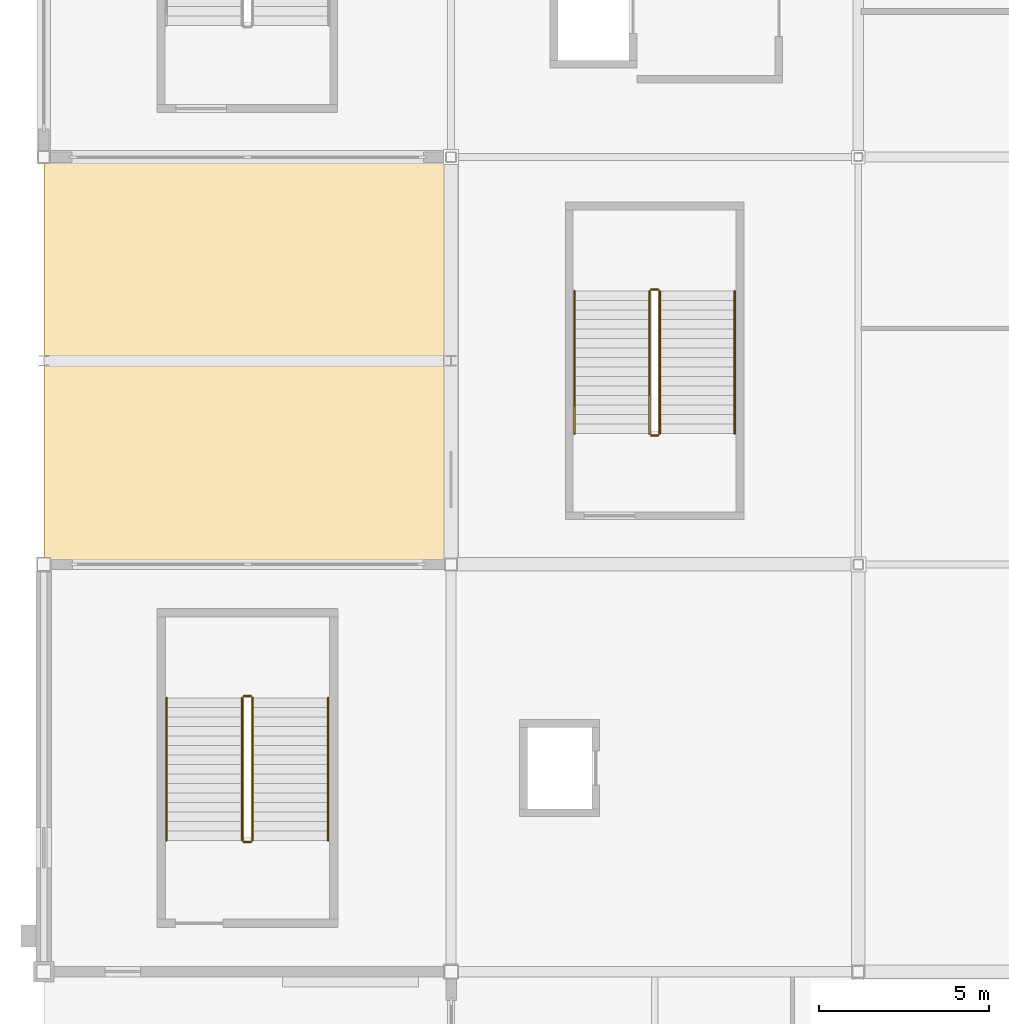
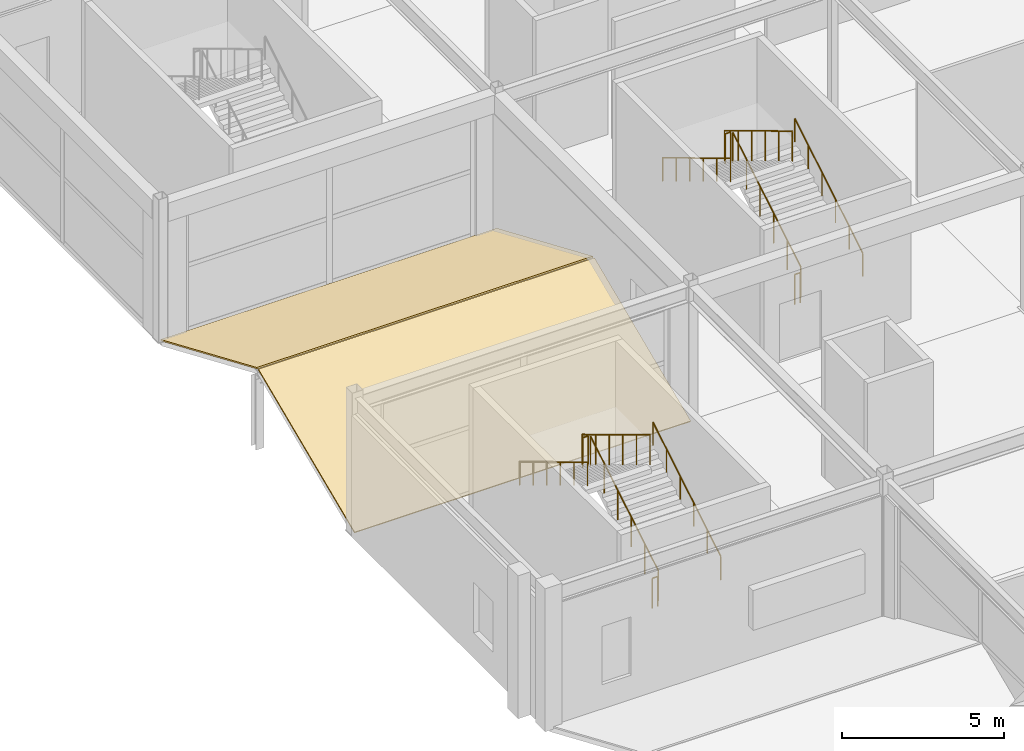
# One storey, part 91 of 105: 12 railings, 2 coverings.
"""IFC4 building model written with IfcOpenShell, lengths in metres."""

import ifcopenshell
import ifcopenshell.guid

model = None  # the IFC model being written
_history = None  # IfcOwnerHistory: only IFC2X3 demands one
_inside = {}  # id of a spatial element -> (the spatial element, [elements in it])
_under = {}  # id of a project, library or spatial element -> (it, [spatial elements below it])
_declared = {}  # id of a project -> (the project, [libraries it declares])
_typed = {}  # id of a type object -> (the type object, [elements of that type])
_made_of = {}  # id of a material, layer set ... -> (it, [elements and type objects made of it])


def new_model(schema):
    """Start an empty IFC model of exactly this schema.

    Asked for "IFC4X3", IfcOpenShell would pick the latest addendum, in which some entities
    have other attributes; the version numbers below select the first issue.
    IFC2X3 requires an IfcOwnerHistory on every rooted entity: one is made here for all.
    """
    global model, _history
    if schema == "IFC4X3":
        model = ifcopenshell.file(schema_version=(4, 3, 0, 0))
    else:
        model = ifcopenshell.file(schema=schema)
    _inside.clear()
    _under.clear()
    _declared.clear()
    _typed.clear()
    _made_of.clear()
    _history = None
    if model.schema == "IFC2X3":
        org = make("IfcOrganization", Name="unknown")
        user = make(
            "IfcPersonAndOrganization",
            ThePerson=make("IfcPerson", FamilyName="unknown"),
            TheOrganization=org,
        )
        app = make(
            "IfcApplication",
            ApplicationDeveloper=org,
            Version="unknown",
            ApplicationFullName="unknown",
            ApplicationIdentifier="unknown",
        )
        _history = make(
            "IfcOwnerHistory",
            OwningUser=user,
            OwningApplication=app,
            ChangeAction="ADDED",
            CreationDate=0,
        )
    return model


def make(cls, **values):
    """One entity of the class cls with the attributes given. An attribute that is None is left unset."""
    return model.create_entity(
        cls, **{name: value for name, value in values.items() if value is not None}
    )


def rooted(cls, **values):
    """An entity with a GlobalId (a new one), such as an element, a storey or a relation."""
    return make(cls, GlobalId=ifcopenshell.guid.new(), OwnerHistory=_history, **values)


def si_unit(unit_type, name, prefix=None):
    """IfcSIUnit, for example si_unit("LENGTHUNIT", "METRE", prefix="MILLI")."""
    return make("IfcSIUnit", UnitType=unit_type, Prefix=prefix, Name=name)


def assignment(units):
    """IfcUnitAssignment: the units of a project."""
    return None if units is None else make("IfcUnitAssignment", Units=units)


def point(xyz):
    """IfcCartesianPoint."""
    return None if xyz is None else make("IfcCartesianPoint", Coordinates=xyz)


def direction(xyz):
    """IfcDirection."""
    return None if xyz is None else make("IfcDirection", DirectionRatios=xyz)


def frame(location, z_axis=None, x_axis=None):
    """IfcAxis2Placement3D, a coordinate frame: its origin and axes. An axis left out is left unset."""
    return make(
        "IfcAxis2Placement3D",
        Location=point(location),
        Axis=direction(z_axis),
        RefDirection=direction(x_axis),
    )


def frame_2d(location, x_axis=None):
    """IfcAxis2Placement2D, a coordinate frame in the plane: its origin and x axis."""
    return make(
        "IfcAxis2Placement2D", Location=point(location), RefDirection=direction(x_axis)
    )


def origin():
    """The frame at (0, 0, 0) with its axes left unset."""
    return frame((0.0, 0.0, 0.0))


def origin_2d():
    """The frame at (0, 0) in the plane with its x axis left unset."""
    return frame_2d((0.0, 0.0))


def place(relative_to, where):
    """IfcLocalPlacement: puts the frame where relative to a parent placement (None: the world)."""
    return make(
        "IfcLocalPlacement", PlacementRelTo=relative_to, RelativePlacement=where
    )


def context(
    kind, dimensions, precision=None, world=None, true_north=None, identifier=None
):
    """IfcGeometricRepresentationContext, for example the 3D "Model" context."""
    return make(
        "IfcGeometricRepresentationContext",
        ContextIdentifier=identifier,
        ContextType=kind,
        CoordinateSpaceDimension=dimensions,
        Precision=precision,
        WorldCoordinateSystem=world,
        TrueNorth=true_north,
    )


def subcontext(parent, identifier, kind, view, scale=None):
    """IfcGeometricRepresentationSubContext, for example "Body" below "Model"."""
    return make(
        "IfcGeometricRepresentationSubContext",
        ContextIdentifier=identifier,
        ContextType=kind,
        ParentContext=parent,
        TargetScale=scale,
        TargetView=view,
    )


def project(units=None, contexts=None):
    """IfcProject with its units and contexts."""
    return rooted(
        "IfcProject",
        Name="project",
        RepresentationContexts=contexts,
        UnitsInContext=assignment(units),
    )


def spatial(cls, under=None, at=None, **own):
    """A site, building, storey or space (cls), placed at a placement, below another one or the project."""
    s = rooted(cls, ObjectPlacement=at, **own)
    if under is not None:
        _under.setdefault(under.id(), (under, []))[1].append(s)
    return s


def polyline(points):
    """IfcPolyline through the points."""
    return make("IfcPolyline", Points=[point(p) for p in points])


def profile(cls, at=None, kind="AREA", **sizes):
    """A parametric profile (cls). Its sizes go by their IFC names, for example OverallWidth=200.0."""
    return make(cls, ProfileType=kind, Position=at, **sizes)


def circle(**sizes):
    """IfcCircleProfileDef."""
    return profile("IfcCircleProfileDef", **sizes)


def outline(outer, holes=None, kind="AREA"):
    """IfcArbitraryClosedProfileDef: a profile drawn as a closed curve; with holes, ...WithVoids."""
    if holes is None:
        return make("IfcArbitraryClosedProfileDef", ProfileType=kind, OuterCurve=outer)
    return make(
        "IfcArbitraryProfileDefWithVoids",
        ProfileType=kind,
        OuterCurve=outer,
        InnerCurves=holes,
    )


def extrude(swept, where, along, depth):
    """IfcExtrudedAreaSolid: the profile swept, set in the frame where, extruded along a direction by depth."""
    return make(
        "IfcExtrudedAreaSolid",
        SweptArea=swept,
        Position=where,
        ExtrudedDirection=direction(along),
        Depth=depth,
    )


def shape(context_of_items, identifier, shape_type, items):
    """IfcShapeRepresentation: the items that make up one representation, for example the "Body"."""
    return make(
        "IfcShapeRepresentation",
        ContextOfItems=context_of_items,
        RepresentationIdentifier=identifier,
        RepresentationType=shape_type,
        Items=items,
    )


def material(Name=None, Category=None):
    """IfcMaterial."""
    return make("IfcMaterial", Name=Name, Category=Category)


def layer(
    of_material, thickness, ventilated=None, Name=None, Category=None, Priority=None
):
    """IfcMaterialLayer: one layer of a wall or slab, of a material (None: an air gap)."""
    return make(
        "IfcMaterialLayer",
        Material=of_material,
        LayerThickness=thickness,
        IsVentilated=ventilated,
        Name=Name,
        Category=Category,
        Priority=Priority,
    )


def layer_set(layers, Name=None):
    """IfcMaterialLayerSet."""
    return make("IfcMaterialLayerSet", MaterialLayers=layers, LayerSetName=Name)


def made_of(thing, what):
    """Note that an element or type object is made of a material, layer set ...; save() writes the relation."""
    if what is not None:
        _made_of.setdefault(what.id(), (what, []))[1].append(thing)
    return thing


def type_object(cls, material=None, **own):
    """A type object (cls), such as IfcWallType, which elements share."""
    return made_of(rooted(cls, **own), material)


def element(
    cls,
    number,
    at=None,
    inside=None,
    cuts=None,
    type_object=None,
    material=None,
    context=None,
    identifier="Body",
    shape_type=None,
    held_by="IfcProductDefinitionShape",
    body=None,
    shapes=None,
    **own,
):
    """One element of the class cls, such as IfcWall. Its Tag is "e" and its number.

    at: its placement. inside: the storey or other place that contains it. cuts: it is an
    opening in that element (IfcRelVoidsElement). A single representation is given by context,
    identifier, shape_type and body (its items); several are given by shapes. held_by: the class
    of the entity that holds the representations. save() writes the other relations.
    """
    e = rooted(cls, Tag="e%d" % number, ObjectPlacement=at, **own)
    if body is not None:
        shapes = [shape(context, identifier, shape_type, body)]
    if shapes is not None:
        e.Representation = make(held_by, Representations=shapes)
    if inside is not None:
        _inside.setdefault(inside.id(), (inside, []))[1].append(e)
    if cuts is not None:
        rooted(
            "IfcRelVoidsElement", RelatingBuildingElement=cuts, RelatedOpeningElement=e
        )
    if type_object is not None:
        _typed.setdefault(type_object.id(), (type_object, []))[1].append(e)
    return made_of(e, material)


def aggregate(whole, parts):
    """IfcRelAggregates: a whole, such as a stair, and the parts it consists of."""
    return rooted("IfcRelAggregates", RelatingObject=whole, RelatedObjects=parts)


def save(model, path):
    """Write the relations noted so far, then the file.

    IfcRelAggregates (storeys below a building ...), IfcRelContainedInSpatialStructure (elements
    in a storey), IfcRelDefinesByType, IfcRelAssociatesMaterial and IfcRelDeclares: one each for
    every whole, place, type object, material and project.
    """
    for whole, parts in _under.values():
        aggregate(whole, parts)
    for where, things in _inside.values():
        rooted(
            "IfcRelContainedInSpatialStructure",
            RelatedElements=things,
            RelatingStructure=where,
        )
    for kind, things in _typed.values():
        rooted("IfcRelDefinesByType", RelatedObjects=things, RelatingType=kind)
    for what, things in _made_of.values():
        rooted("IfcRelAssociatesMaterial", RelatedObjects=things, RelatingMaterial=what)
    for by, libraries in _declared.values():
        rooted("IfcRelDeclares", RelatingContext=by, RelatedDefinitions=libraries)
    model.write(path)


model = new_model("IFC4")

# Units and contexts
model_context = context("Model", 3, precision=1e-05, world=origin(), true_north=direction((0.0, 1.0)))
body_context = subcontext(model_context, "Body", "Model", "MODEL_VIEW")
ifc_project = project(units=[si_unit("LENGTHUNIT", "METRE"), si_unit("AREAUNIT", "SQUARE_METRE"), si_unit("VOLUMEUNIT", "CUBIC_METRE"), si_unit("PLANEANGLEUNIT", "RADIAN"), si_unit("MASSUNIT", "GRAM", prefix="KILO")], contexts=[model_context])

# Site, building, storey
site_placement = place(None, origin())
site = spatial("IfcSite", under=ifc_project, at=site_placement, CompositionType="ELEMENT")
building_placement = place(site_placement, origin())
building = spatial("IfcBuilding", under=site, at=building_placement, Name="Kazenohara Klinker Stadium", CompositionType="ELEMENT")
storey_placement = place(building_placement, frame((0.0, 0.0, 20.39990234375)))
storey = spatial("IfcBuildingStorey", under=building, at=storey_placement, Name="L04", CompositionType="ELEMENT", Elevation=20.39990234375)

# Coverings
ifc_material_1 = material(Name="Insulated standing-seam copper roofing", Category="metal")
ifc_layer_1 = layer(ifc_material_1, 0.050048828125)
ifc_layer_set_1 = layer_set([ifc_layer_1], Name="Insulated standing-seam copper roofing")
covering_type = type_object("IfcCoveringType", Name="COV-ROOF-01", PredefinedType="ROOFING", material=ifc_layer_set_1)
for number, where, z_axis, x_axis, name in (
    (1, (0.0, 96.0, -0.02978515625), (0.0, -0.393896539344, 0.919154783642), (1.0, 0.0, 0.0), "Standing-seam copper stepped wing roofing L04-A 1/J"),
    (2, (0.0, 102.050048828125, 2.52001953125), (0.0, 0.393896539344, 0.919154783642), (1.0, 0.0, 0.0), "Standing-seam copper stepped wing roofing L04-B 1/J"),
):
    element("IfcCovering", number, at=place(storey_placement, frame(where, z_axis=z_axis, x_axis=x_axis)), inside=storey, type_object=covering_type, Name=name, PredefinedType="ROOFING", context=body_context, shape_type="SweptSolid", body=[
        extrude(outline(polyline([(0.0, 0.0), (12.0, 0.0), (12.0, 6.473285324477336), (0.0, 6.473285324477336), (0.0, 0.0)])), origin(), (0.0, 0.0, -1.0), 0.050048828125),
    ])

# Railings
ifc_material_2 = material(Name="Brushed stainless steel 304 handrail", Category="steel")
ifc_layer_2 = layer(ifc_material_2, 0.050048828125)
ifc_layer_set_2 = layer_set([ifc_layer_2], Name="Brushed stainless steel 304 handrail")
railing_type_1 = type_object("IfcRailingType", Name="RL-HND-900", PredefinedType="HANDRAIL", material=ifc_layer_set_2)
railing_1_placement = place(storey_placement, frame((8.3798828125, 87.8701171875, 0.1689453125)))
element("IfcRailing", 3, at=railing_1_placement, inside=storey, type_object=railing_type_1, Name="L04 ST03 stair handrail 1", PredefinedType="HANDRAIL", context=body_context, shape_type="SweptSolid", body=[
    extrude(circle(Radius=0.02392578125, at=origin_2d()), frame((0.0, 0.0, 0.8759765625), z_axis=(0.0, 0.856476492594, 0.516186030065), x_axis=(-1.0, 0.0, 0.0)), (0.0, 0.0, 1.0), 4.90380859375),
    extrude(circle(Radius=0.02099609375, at=origin_2d()), origin(), (0.0, 0.0, 1.0), 0.851806640625),
    extrude(circle(Radius=0.02099609375, at=origin_2d()), frame((0.0, 0.840087890625, 0.50634765625)), (0.0, 0.0, 1.0), 0.851806640625),
    extrude(circle(Radius=0.02099609375, at=origin_2d()), frame((0.0, 1.679931640625, 1.012451171875)), (0.0, 0.0, 1.0), 0.851806640625),
    extrude(circle(Radius=0.02099609375, at=origin_2d()), frame((0.0, 2.52001953125, 1.518798828125)), (0.0, 0.0, 1.0), 0.851806640625),
    extrude(circle(Radius=0.02099609375, at=origin_2d()), frame((0.0, 3.35986328125, 2.02490234375)), (0.0, 0.0, 1.0), 0.851806640625),
    extrude(circle(Radius=0.02099609375, at=origin_2d()), frame((0.0, 4.199951171875, 2.53125)), (0.0, 0.0, 1.0), 0.851806640625),
])
railing_2_placement = place(storey_placement, frame((3.6201171875, 92.070068359375, 2.868896484375)))
element("IfcRailing", 4, at=railing_2_placement, inside=storey, type_object=railing_type_1, Name="L04 ST03 stair handrail 2", PredefinedType="HANDRAIL", context=body_context, shape_type="SweptSolid", body=[
    extrude(circle(Radius=0.02392578125, at=origin_2d()), frame((0.0, 0.0, 0.8759765625), z_axis=(0.0, -0.856476492594, 0.516186030065), x_axis=(1.0, 0.0, 0.0)), (0.0, 0.0, 1.0), 4.90380859375),
    extrude(circle(Radius=0.02099609375, at=origin_2d()), origin(), (0.0, 0.0, 1.0), 0.851806640625),
    extrude(circle(Radius=0.02099609375, at=origin_2d()), frame((0.0, -0.840087890625, 0.50634765625)), (0.0, 0.0, 1.0), 0.851806640625),
    extrude(circle(Radius=0.02099609375, at=origin_2d()), frame((0.0, -1.679931640625, 1.012451171875)), (0.0, 0.0, 1.0), 0.851806640625),
    extrude(circle(Radius=0.02099609375, at=origin_2d()), frame((0.0, -2.52001953125, 1.518798828125)), (0.0, 0.0, 1.0), 0.851806640625),
    extrude(circle(Radius=0.02099609375, at=origin_2d()), frame((0.0, -3.35986328125, 2.02490234375)), (0.0, 0.0, 1.0), 0.851806640625),
    extrude(circle(Radius=0.02099609375, at=origin_2d()), frame((0.0, -4.199951171875, 2.53125)), (0.0, 0.0, 1.0), 0.851806640625),
])
railing_3_placement = place(storey_placement, frame((20.360107421875, 99.85009765625, 0.1689453125)))
element("IfcRailing", 5, at=railing_3_placement, inside=storey, type_object=railing_type_1, Name="L04 ST14 stair handrail 1", PredefinedType="HANDRAIL", context=body_context, shape_type="SweptSolid", body=[
    extrude(circle(Radius=0.02392578125, at=origin_2d()), frame((0.0, 0.0, 0.8759765625), z_axis=(0.0, 0.856476492594, 0.516186030065), x_axis=(-1.0, 0.0, 0.0)), (0.0, 0.0, 1.0), 4.90380859375),
    extrude(circle(Radius=0.02099609375, at=origin_2d()), origin(), (0.0, 0.0, 1.0), 0.851806640625),
    extrude(circle(Radius=0.02099609375, at=origin_2d()), frame((0.0, 0.840087890625, 0.50634765625)), (0.0, 0.0, 1.0), 0.851806640625),
    extrude(circle(Radius=0.02099609375, at=origin_2d()), frame((0.0, 1.679931640625, 1.012451171875)), (0.0, 0.0, 1.0), 0.851806640625),
    extrude(circle(Radius=0.02099609375, at=origin_2d()), frame((0.0, 2.52001953125, 1.518798828125)), (0.0, 0.0, 1.0), 0.851806640625),
    extrude(circle(Radius=0.02099609375, at=origin_2d()), frame((0.0, 3.35986328125, 2.02490234375)), (0.0, 0.0, 1.0), 0.851806640625),
    extrude(circle(Radius=0.02099609375, at=origin_2d()), frame((0.0, 4.199951171875, 2.53125)), (0.0, 0.0, 1.0), 0.851806640625),
])
railing_4_placement = place(storey_placement, frame((15.639892578125, 104.050048828125, 2.868896484375)))
element("IfcRailing", 6, at=railing_4_placement, inside=storey, type_object=railing_type_1, Name="L04 ST14 stair handrail 2", PredefinedType="HANDRAIL", context=body_context, shape_type="SweptSolid", body=[
    extrude(circle(Radius=0.02392578125, at=origin_2d()), frame((0.0, 0.0, 0.8759765625), z_axis=(0.0, -0.856476492594, 0.516186030065), x_axis=(1.0, 0.0, 0.0)), (0.0, 0.0, 1.0), 4.90380859375),
    extrude(circle(Radius=0.02099609375, at=origin_2d()), origin(), (0.0, 0.0, 1.0), 0.851806640625),
    extrude(circle(Radius=0.02099609375, at=origin_2d()), frame((0.0, -0.840087890625, 0.50634765625)), (0.0, 0.0, 1.0), 0.851806640625),
    extrude(circle(Radius=0.02099609375, at=origin_2d()), frame((0.0, -1.679931640625, 1.012451171875)), (0.0, 0.0, 1.0), 0.851806640625),
    extrude(circle(Radius=0.02099609375, at=origin_2d()), frame((0.0, -2.52001953125, 1.518798828125)), (0.0, 0.0, 1.0), 0.851806640625),
    extrude(circle(Radius=0.02099609375, at=origin_2d()), frame((0.0, -3.35986328125, 2.02490234375)), (0.0, 0.0, 1.0), 0.851806640625),
    extrude(circle(Radius=0.02099609375, at=origin_2d()), frame((0.0, -4.199951171875, 2.53125)), (0.0, 0.0, 1.0), 0.851806640625),
])
ifc_material_3 = material(Name="Painted steel stairwell guardrail", Category="steel")
ifc_layer_3 = layer(ifc_material_3, 0.06005859375)
ifc_layer_set_3 = layer_set([ifc_layer_3], Name="Painted steel stairwell guardrail")
railing_type_2 = type_object("IfcRailingType", Name="RL-STG-1120", PredefinedType="GUARDRAIL", material=ifc_layer_set_3)
railing_5_placement = place(storey_placement, frame((6.14990234375, 87.8701171875, 0.1689453125)))
element("IfcRailing", 7, at=railing_5_placement, inside=storey, type_object=railing_type_2, Name="L04 ST03 stair guard 1", PredefinedType="GUARDRAIL", context=body_context, shape_type="SweptSolid", body=[
    extrude(circle(Radius=0.02392578125, at=origin_2d()), frame((0.0, 0.0, 1.1259765625), z_axis=(0.0, 0.856476492594, 0.516186030065), x_axis=(-1.0, 0.0, 0.0)), (0.0, 0.0, 1.0), 4.90380859375),
    extrude(circle(Radius=0.02099609375, at=origin_2d()), origin(), (0.0, 0.0, 1.0), 1.101806640625),
    extrude(circle(Radius=0.02099609375, at=origin_2d()), frame((0.0, 0.840087890625, 0.50634765625)), (0.0, 0.0, 1.0), 1.101806640625),
    extrude(circle(Radius=0.02099609375, at=origin_2d()), frame((0.0, 1.679931640625, 1.012451171875)), (0.0, 0.0, 1.0), 1.101806640625),
    extrude(circle(Radius=0.02099609375, at=origin_2d()), frame((0.0, 2.52001953125, 1.518798828125)), (0.0, 0.0, 1.0), 1.101806640625),
    extrude(circle(Radius=0.02099609375, at=origin_2d()), frame((0.0, 3.35986328125, 2.02490234375)), (0.0, 0.0, 1.0), 1.101806640625),
    extrude(circle(Radius=0.02099609375, at=origin_2d()), frame((0.0, 4.199951171875, 2.53125)), (0.0, 0.0, 1.0), 1.101806640625),
])
railing_6_placement = place(storey_placement, frame((6.10009765625, 92.1201171875, 2.7001953125)))
element("IfcRailing", 8, at=railing_6_placement, inside=storey, type_object=railing_type_2, Name="L04 ST03 stair guard 2", PredefinedType="GUARDRAIL", context=body_context, shape_type="SweptSolid", body=[
    extrude(circle(Radius=0.02392578125, at=origin_2d()), frame((0.0, 0.0, 1.1259765625), z_axis=(-1.0, 0.0, 0.0), x_axis=(0.0, -1.0, 0.0)), (0.0, 0.0, 1.0), 0.2001953125),
    extrude(circle(Radius=0.02099609375, at=origin_2d()), origin(), (0.0, 0.0, 1.0), 1.101806640625),
    extrude(circle(Radius=0.02099609375, at=origin_2d()), frame((-0.2001953125, 0.0, 0.0)), (0.0, 0.0, 1.0), 1.101806640625),
])
railing_7_placement = place(storey_placement, frame((5.85009765625, 92.070068359375, 2.868896484375)))
element("IfcRailing", 9, at=railing_7_placement, inside=storey, type_object=railing_type_2, Name="L04 ST03 stair guard 3", PredefinedType="GUARDRAIL", context=body_context, shape_type="SweptSolid", body=[
    extrude(circle(Radius=0.02392578125, at=origin_2d()), frame((0.0, 0.0, 1.1259765625), z_axis=(0.0, -0.856476492594, 0.516186030065), x_axis=(1.0, 0.0, 0.0)), (0.0, 0.0, 1.0), 4.90380859375),
    extrude(circle(Radius=0.02099609375, at=origin_2d()), origin(), (0.0, 0.0, 1.0), 1.101806640625),
    extrude(circle(Radius=0.02099609375, at=origin_2d()), frame((0.0, -0.840087890625, 0.50634765625)), (0.0, 0.0, 1.0), 1.101806640625),
    extrude(circle(Radius=0.02099609375, at=origin_2d()), frame((0.0, -1.679931640625, 1.012451171875)), (0.0, 0.0, 1.0), 1.101806640625),
    extrude(circle(Radius=0.02099609375, at=origin_2d()), frame((0.0, -2.52001953125, 1.518798828125)), (0.0, 0.0, 1.0), 1.101806640625),
    extrude(circle(Radius=0.02099609375, at=origin_2d()), frame((0.0, -3.35986328125, 2.02490234375)), (0.0, 0.0, 1.0), 1.101806640625),
    extrude(circle(Radius=0.02099609375, at=origin_2d()), frame((0.0, -4.199951171875, 2.53125)), (0.0, 0.0, 1.0), 1.101806640625),
])
railing_8_placement = place(storey_placement, frame((6.10009765625, 87.820068359375, 0.0)))
element("IfcRailing", 10, at=railing_8_placement, inside=storey, type_object=railing_type_2, Name="L04 ST03 stair guard 4", PredefinedType="GUARDRAIL", context=body_context, shape_type="SweptSolid", body=[
    extrude(circle(Radius=0.02392578125, at=origin_2d()), frame((0.0, 0.0, 1.1259765625), z_axis=(-1.0, 0.0, 0.0), x_axis=(0.0, -1.0, 0.0)), (0.0, 0.0, 1.0), 0.2001953125),
    extrude(circle(Radius=0.02099609375, at=origin_2d()), origin(), (0.0, 0.0, 1.0), 1.101806640625),
    extrude(circle(Radius=0.02099609375, at=origin_2d()), frame((-0.2001953125, 0.0, 0.0)), (0.0, 0.0, 1.0), 1.101806640625),
])
railing_9_placement = place(storey_placement, frame((18.14990234375, 99.85009765625, 0.1689453125)))
element("IfcRailing", 11, at=railing_9_placement, inside=storey, type_object=railing_type_2, Name="L04 ST14 stair guard 1", PredefinedType="GUARDRAIL", context=body_context, shape_type="SweptSolid", body=[
    extrude(circle(Radius=0.02392578125, at=origin_2d()), frame((0.0, 0.0, 1.1259765625), z_axis=(0.0, 0.856476492594, 0.516186030065), x_axis=(-1.0, 0.0, 0.0)), (0.0, 0.0, 1.0), 4.90380859375),
    extrude(circle(Radius=0.02099609375, at=origin_2d()), origin(), (0.0, 0.0, 1.0), 1.101806640625),
    extrude(circle(Radius=0.02099609375, at=origin_2d()), frame((0.0, 0.840087890625, 0.50634765625)), (0.0, 0.0, 1.0), 1.101806640625),
    extrude(circle(Radius=0.02099609375, at=origin_2d()), frame((0.0, 1.679931640625, 1.012451171875)), (0.0, 0.0, 1.0), 1.101806640625),
    extrude(circle(Radius=0.02099609375, at=origin_2d()), frame((0.0, 2.52001953125, 1.518798828125)), (0.0, 0.0, 1.0), 1.101806640625),
    extrude(circle(Radius=0.02099609375, at=origin_2d()), frame((0.0, 3.35986328125, 2.02490234375)), (0.0, 0.0, 1.0), 1.101806640625),
    extrude(circle(Radius=0.02099609375, at=origin_2d()), frame((0.0, 4.199951171875, 2.53125)), (0.0, 0.0, 1.0), 1.101806640625),
])
railing_10_placement = place(storey_placement, frame((18.10009765625, 104.10009765625, 2.7001953125)))
element("IfcRailing", 12, at=railing_10_placement, inside=storey, type_object=railing_type_2, Name="L04 ST14 stair guard 2", PredefinedType="GUARDRAIL", context=body_context, shape_type="SweptSolid", body=[
    extrude(circle(Radius=0.02392578125, at=origin_2d()), frame((0.0, 0.0, 1.1259765625), z_axis=(-1.0, 0.0, 0.0), x_axis=(0.0, -1.0, 0.0)), (0.0, 0.0, 1.0), 0.2001953125),
    extrude(circle(Radius=0.02099609375, at=origin_2d()), origin(), (0.0, 0.0, 1.0), 1.101806640625),
    extrude(circle(Radius=0.02099609375, at=origin_2d()), frame((-0.2001953125, 0.0, 0.0)), (0.0, 0.0, 1.0), 1.101806640625),
])
railing_11_placement = place(storey_placement, frame((17.85009765625, 104.050048828125, 2.868896484375)))
element("IfcRailing", 13, at=railing_11_placement, inside=storey, type_object=railing_type_2, Name="L04 ST14 stair guard 3", PredefinedType="GUARDRAIL", context=body_context, shape_type="SweptSolid", body=[
    extrude(circle(Radius=0.02392578125, at=origin_2d()), frame((0.0, 0.0, 1.1259765625), z_axis=(0.0, -0.856476492594, 0.516186030065), x_axis=(1.0, 0.0, 0.0)), (0.0, 0.0, 1.0), 4.90380859375),
    extrude(circle(Radius=0.02099609375, at=origin_2d()), origin(), (0.0, 0.0, 1.0), 1.101806640625),
    extrude(circle(Radius=0.02099609375, at=origin_2d()), frame((0.0, -0.840087890625, 0.50634765625)), (0.0, 0.0, 1.0), 1.101806640625),
    extrude(circle(Radius=0.02099609375, at=origin_2d()), frame((0.0, -1.679931640625, 1.012451171875)), (0.0, 0.0, 1.0), 1.101806640625),
    extrude(circle(Radius=0.02099609375, at=origin_2d()), frame((0.0, -2.52001953125, 1.518798828125)), (0.0, 0.0, 1.0), 1.101806640625),
    extrude(circle(Radius=0.02099609375, at=origin_2d()), frame((0.0, -3.35986328125, 2.02490234375)), (0.0, 0.0, 1.0), 1.101806640625),
    extrude(circle(Radius=0.02099609375, at=origin_2d()), frame((0.0, -4.199951171875, 2.53125)), (0.0, 0.0, 1.0), 1.101806640625),
])
railing_12_placement = place(storey_placement, frame((18.10009765625, 99.800048828125, 0.0)))
element("IfcRailing", 14, at=railing_12_placement, inside=storey, type_object=railing_type_2, Name="L04 ST14 stair guard 4", PredefinedType="GUARDRAIL", context=body_context, shape_type="SweptSolid", body=[
    extrude(circle(Radius=0.02392578125, at=origin_2d()), frame((0.0, 0.0, 1.1259765625), z_axis=(-1.0, 0.0, 0.0), x_axis=(0.0, -1.0, 0.0)), (0.0, 0.0, 1.0), 0.2001953125),
    extrude(circle(Radius=0.02099609375, at=origin_2d()), origin(), (0.0, 0.0, 1.0), 1.101806640625),
    extrude(circle(Radius=0.02099609375, at=origin_2d()), frame((-0.2001953125, 0.0, 0.0)), (0.0, 0.0, 1.0), 1.101806640625),
])

save(model, "model.ifc")
